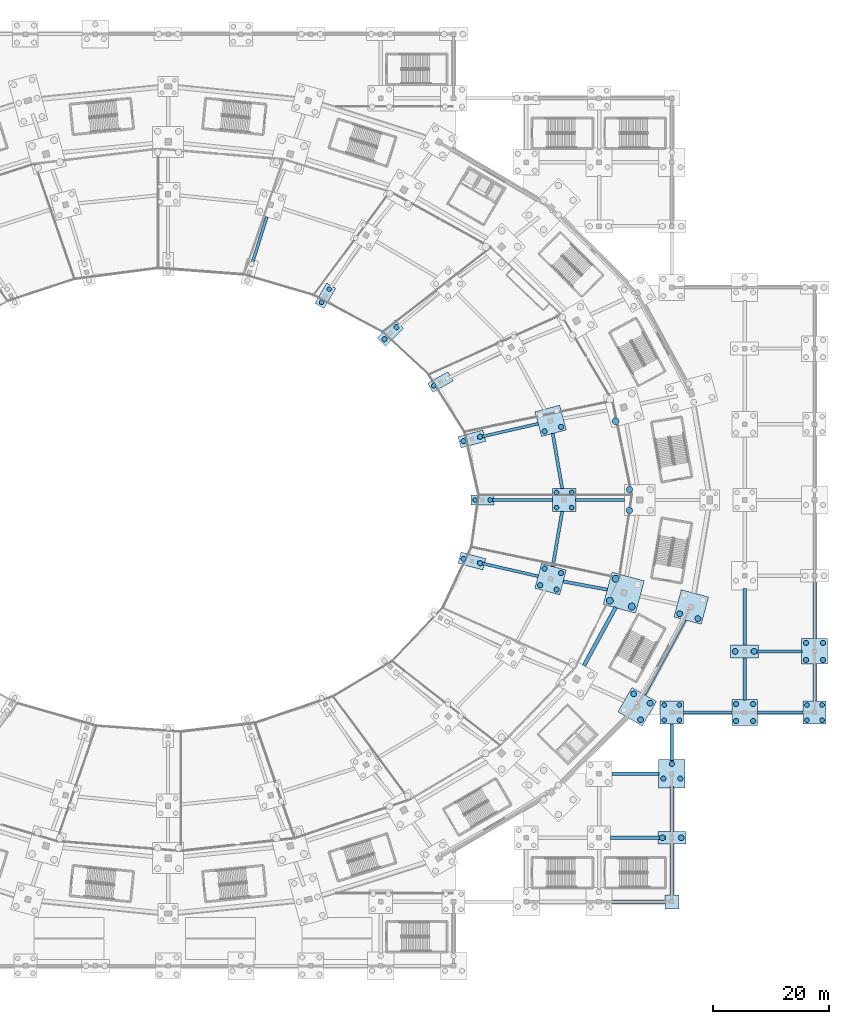
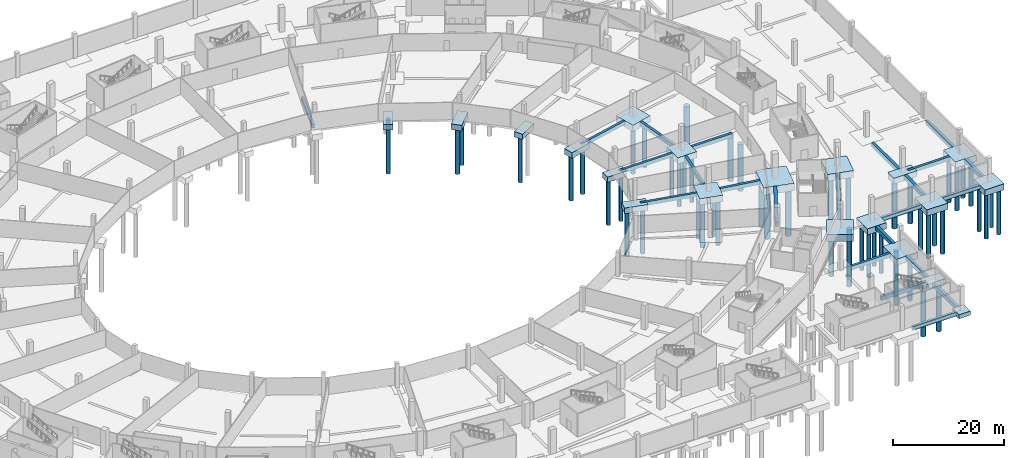
# One storey, part 7 of 74: 55 piles, 43 footings.
"""IFC4 building model written with IfcOpenShell, lengths in metres."""

from ifc_helpers import new_model, si_unit, direction, frame, origin, origin_2d, place, context, subcontext, project, spatial, polyline, rectangle, circle, outline, extrude, material, material_profile, profile_set, type_object, element, save


model = new_model("IFC4")

# Units and contexts
model_context = context("Model", 3, precision=1e-05, world=origin(), true_north=direction((0.0, 1.0)))
body_context = subcontext(model_context, "Body", "Model", "MODEL_VIEW")
ifc_project = project(units=[si_unit("LENGTHUNIT", "METRE"), si_unit("AREAUNIT", "SQUARE_METRE"), si_unit("VOLUMEUNIT", "CUBIC_METRE"), si_unit("PLANEANGLEUNIT", "RADIAN"), si_unit("MASSUNIT", "GRAM", prefix="KILO")], contexts=[model_context])

# Site, building, storey
site_placement = place(None, origin())
site = spatial("IfcSite", under=ifc_project, at=site_placement, CompositionType="ELEMENT")
building_placement = place(site_placement, origin())
building = spatial("IfcBuilding", under=site, at=building_placement, Name="Zlatoyarsky Gate Stadium", CompositionType="ELEMENT")
storey_placement = place(building_placement, frame((0.0, 0.0, -5.39990234375)))
storey = spatial("IfcBuildingStorey", under=building, at=storey_placement, Name="B1", CompositionType="ELEMENT", Elevation=-5.39990234375)

# Piles
ifc_material = material(Name="Concrete C35/45", Category="concrete")
ifc_material_profile_1 = material_profile(ifc_material, circle(Radius=0.5, at=origin_2d()), Name="BORED PILE D1000")
ifc_profile_set_1 = profile_set([ifc_material_profile_1], Name="Concrete C35/45")
pile_type_1 = type_object("IfcPileType", Name="CONCRETE BORED PILE D1000", PredefinedType="BORED", material=ifc_profile_set_1)
for number, where, z_axis, x_axis, name in (
    (1, (192.13525390625, 42.2802734375, -1.400146484375), (0.0, 0.0, -1.0), (1.0, 0.0, 0.0), "Pile 2 under RC-22"),
    (2, (190.945556640625, 46.7197265625, -1.400146484375), (0.0, 0.0, -1.0), (1.0, 0.0, 0.0), "Pile 3 under RC-22"),
    (3, (193.76025390625, 45.0947265625, -1.400146484375), (0.0, 0.0, -1.0), (1.0, 0.0, 0.0), "Pile 4 under RC-22"),
    (4, (198.8408203125, 60.474853515625, -1.400146484375), (0.0, 0.0, -1.0), (1.0, 0.0, 0.0), "Pile 1 under RC-23"),
    (5, (201.97998046875, 59.633544921875, -1.400146484375), (0.0, 0.0, -1.0), (1.0, 0.0, 0.0), "Pile 2 under RC-23"),
):
    element("IfcPile", number, at=place(storey_placement, frame(where, z_axis=z_axis, x_axis=x_axis)), inside=storey, type_object=pile_type_1, Name=name, PredefinedType="BORED", context=body_context, shape_type="SweptSolid", body=[
        extrude(circle(Radius=0.5, at=origin_2d()), origin(), (0.0, 0.0, 1.0), 10.39990234375),
    ])
for number, where, z_axis, x_axis, name in (
    (6, (195.875, 22.0, -1.2001953125), (0.0, 0.0, -1.0), (1.0, 0.0, 0.0), "Pile 1 under WG-17-C"),
    (7, (199.125, 22.0, -1.2001953125), (0.0, 0.0, -1.0), (1.0, 0.0, 0.0), "Pile 2 under WG-17-C"),
    (8, (208.375, 54.0, -1.2001953125), (0.0, 0.0, -1.0), (1.0, 0.0, 0.0), "Pile 1 under WG-18-F"),
    (9, (211.625, 54.0, -1.2001953125), (0.0, 0.0, -1.0), (1.0, 0.0, 0.0), "Pile 2 under WG-18-F"),
):
    element("IfcPile", number, at=place(storey_placement, frame(where, z_axis=z_axis, x_axis=x_axis)), inside=storey, type_object=pile_type_1, Name=name, PredefinedType="BORED", context=body_context, shape_type="SweptSolid", body=[
        extrude(circle(Radius=0.5, at=origin_2d()), origin(), (0.0, 0.0, 1.0), 10.60009765625),
    ])
ifc_material_profile_2 = material_profile(ifc_material, circle(Radius=0.550048828125, at=origin_2d()), Name="BORED PILE D1100")
ifc_profile_set_2 = profile_set([ifc_material_profile_2], Name="Concrete C35/45")
pile_type_2 = type_object("IfcPileType", Name="CONCRETE BORED PILE D1100", PredefinedType="BORED", material=ifc_profile_set_2)
for number, where, z_axis, x_axis, name in (
    (10, (190.21240234375, 78.21240234375, -1.4501953125), (0.0, 0.0, -1.0), (1.0, 0.0, 0.0), "Pile 1 under RB-00"),
    (11, (190.21240234375, 81.78759765625, -1.4501953125), (0.0, 0.0, -1.0), (1.0, 0.0, 0.0), "Pile 3 under RB-00"),
):
    element("IfcPile", number, at=place(storey_placement, frame(where, z_axis=z_axis, x_axis=x_axis)), inside=storey, type_object=pile_type_2, Name=name, PredefinedType="BORED", context=body_context, shape_type="SweptSolid", body=[
        extrude(circle(Radius=0.550048828125, at=origin_2d()), origin(), (0.0, 0.0, 1.0), 10.35009765625),
    ])
ifc_material_profile_3 = material_profile(ifc_material, circle(Radius=0.60009765625, at=origin_2d()), Name="BORED PILE D1200")
ifc_profile_set_3 = profile_set([ifc_material_profile_3], Name="Concrete C35/45")
pile_type_3 = type_object("IfcPileType", Name="CONCRETE BORED PILE D1200", PredefinedType="BORED", material=ifc_profile_set_3)
for number, where, z_axis, x_axis, name in (
    (12, (187.861083984375, 93.529052734375, -1.550048828125), (0.0, 0.0, -1.0), (1.0, 0.0, 0.0), "Pile 1 under RB-01"),
    (13, (186.851806640625, 62.70361328125, -1.550048828125), (0.0, 0.0, -1.0), (1.0, 0.0, 0.0), "Pile 1 under RB-23"),
    (14, (190.618896484375, 61.6943359375, -1.550048828125), (0.0, 0.0, -1.0), (1.0, 0.0, 0.0), "Pile 2 under RB-23"),
    (15, (187.861083984375, 66.470947265625, -1.550048828125), (0.0, 0.0, -1.0), (1.0, 0.0, 0.0), "Pile 3 under RB-23"),
):
    element("IfcPile", number, at=place(storey_placement, frame(where, z_axis=z_axis, x_axis=x_axis)), inside=storey, type_object=pile_type_3, Name=name, PredefinedType="BORED", context=body_context, shape_type="SweptSolid", body=[
        extrude(circle(Radius=0.60009765625, at=origin_2d()), origin(), (0.0, 0.0, 1.0), 10.25),
    ])
ifc_material_profile_4 = material_profile(ifc_material, circle(Radius=0.39990234375, at=origin_2d()), Name="BORED PILE D800")
ifc_profile_set_4 = profile_set([ifc_material_profile_4], Name="Concrete C35/45")
pile_type_4 = type_object("IfcPileType", Name="CONCRETE BORED PILE D800", PredefinedType="BORED", material=ifc_profile_set_4)
for number, where, z_axis, x_axis, name in (
    (16, (163.699951171875, 80.0, -1.10009765625), (0.0, 0.0, -1.0), (1.0, 0.0, 0.0), "Pile 1 under R0-00"),
    (17, (166.300048828125, 80.0, -1.10009765625), (0.0, 0.0, -1.0), (1.0, 0.0, 0.0), "Pile 2 under R0-00"),
    (18, (156.6396484375, 99.60009765625, -1.10009765625), (0.0, 0.0, -1.0), (1.0, 0.0, 0.0), "Pile 1 under R0-02"),
    (19, (137.35009765625, 113.9482421875, -1.10009765625), (0.0, 0.0, -1.0), (1.0, 0.0, 0.0), "Pile 1 under R0-04"),
    (20, (138.64990234375, 116.19970703125, -1.10009765625), (0.0, 0.0, -1.0), (1.0, 0.0, 0.0), "Pile 2 under R0-04"),
):
    element("IfcPile", number, at=place(storey_placement, frame(where, z_axis=z_axis, x_axis=x_axis)), inside=storey, type_object=pile_type_4, Name=name, PredefinedType="BORED", context=body_context, shape_type="SweptSolid", body=[
        extrude(circle(Radius=0.39990234375, at=origin_2d()), origin(), (0.0, 0.0, 1.0), 10.10009765625),
    ])
for number, where, z_axis, x_axis, name in (
    (21, (177.699951171875, 78.699951171875, -1.25), (0.0, 0.0, -1.0), (1.0, 0.0, 0.0), "Pile 1 under RA-00"),
    (22, (180.300048828125, 78.699951171875, -1.25), (0.0, 0.0, -1.0), (1.0, 0.0, 0.0), "Pile 2 under RA-00"),
    (23, (177.699951171875, 81.300048828125, -1.25), (0.0, 0.0, -1.0), (1.0, 0.0, 0.0), "Pile 3 under RA-00"),
    (24, (180.300048828125, 81.300048828125, -1.25), (0.0, 0.0, -1.0), (1.0, 0.0, 0.0), "Pile 4 under RA-00"),
    (25, (196.199951171875, 42.199951171875, -1.25), (0.0, 0.0, -1.0), (1.0, 0.0, 0.0), "Pile 1 under WG-17-E"),
    (26, (198.800048828125, 42.199951171875, -1.25), (0.0, 0.0, -1.0), (1.0, 0.0, 0.0), "Pile 2 under WG-17-E"),
    (27, (196.199951171875, 44.800048828125, -1.25), (0.0, 0.0, -1.0), (1.0, 0.0, 0.0), "Pile 3 under WG-17-E"),
    (28, (198.800048828125, 44.800048828125, -1.25), (0.0, 0.0, -1.0), (1.0, 0.0, 0.0), "Pile 4 under WG-17-E"),
    (29, (220.699951171875, 42.199951171875, -1.25), (0.0, 0.0, -1.0), (1.0, 0.0, 0.0), "Pile 1 under WG-19-E"),
    (30, (223.300048828125, 42.199951171875, -1.25), (0.0, 0.0, -1.0), (1.0, 0.0, 0.0), "Pile 2 under WG-19-E"),
    (31, (220.699951171875, 44.800048828125, -1.25), (0.0, 0.0, -1.0), (1.0, 0.0, 0.0), "Pile 3 under WG-19-E"),
    (32, (223.300048828125, 44.800048828125, -1.25), (0.0, 0.0, -1.0), (1.0, 0.0, 0.0), "Pile 4 under WG-19-E"),
):
    element("IfcPile", number, at=place(storey_placement, frame(where, z_axis=z_axis, x_axis=x_axis)), inside=storey, type_object=pile_type_4, Name=name, PredefinedType="BORED", context=body_context, shape_type="SweptSolid", body=[
        extrude(circle(Radius=0.39990234375, at=origin_2d()), origin(), (0.0, 0.0, 1.0), 9.949951171875),
    ])
ifc_material_profile_5 = material_profile(ifc_material, circle(Radius=0.449951171875, at=origin_2d()), Name="BORED PILE D900")
ifc_profile_set_5 = profile_set([ifc_material_profile_5], Name="Concrete C35/45")
pile_type_5 = type_object("IfcPileType", Name="CONCRETE BORED PILE D900", PredefinedType="BORED", material=ifc_profile_set_5)
for number, where, z_axis, x_axis, name in (
    (33, (161.747314453125, 90.103759765625, -1.150146484375), (0.0, 0.0, -1.0), (1.0, 0.0, 0.0), "Pile 1 under R0-01"),
    (34, (164.57275390625, 90.860595703125, -1.150146484375), (0.0, 0.0, -1.0), (1.0, 0.0, 0.0), "Pile 2 under R0-01"),
    (35, (148.149658203125, 107.603759765625, -1.150146484375), (0.0, 0.0, -1.0), (1.0, 0.0, 0.0), "Pile 1 under R0-03"),
    (36, (150.218017578125, 109.671875, -1.150146484375), (0.0, 0.0, -1.0), (1.0, 0.0, 0.0), "Pile 2 under R0-03"),
    (37, (161.747314453125, 69.896240234375, -1.150146484375), (0.0, 0.0, -1.0), (1.0, 0.0, 0.0), "Pile 1 under R0-23"),
    (38, (164.57275390625, 69.139404296875, -1.150146484375), (0.0, 0.0, -1.0), (1.0, 0.0, 0.0), "Pile 2 under R0-23"),
):
    element("IfcPile", number, at=place(storey_placement, frame(where, z_axis=z_axis, x_axis=x_axis)), inside=storey, type_object=pile_type_5, Name=name, PredefinedType="BORED", context=body_context, shape_type="SweptSolid", body=[
        extrude(circle(Radius=0.449951171875, at=origin_2d()), origin(), (0.0, 0.0, 1.0), 10.050048828125),
    ])
for number, where, z_axis, x_axis, name in (
    (39, (175.64892578125, 91.796875, -1.300048828125), (0.0, 0.0, -1.0), (1.0, 0.0, 0.0), "Pile 1 under RA-01"),
    (40, (178.47412109375, 92.553955078125, -1.300048828125), (0.0, 0.0, -1.0), (1.0, 0.0, 0.0), "Pile 2 under RA-01"),
    (41, (174.891845703125, 65.3779296875, -1.300048828125), (0.0, 0.0, -1.0), (1.0, 0.0, 0.0), "Pile 1 under RA-23"),
    (42, (177.717041015625, 64.620849609375, -1.300048828125), (0.0, 0.0, -1.0), (1.0, 0.0, 0.0), "Pile 2 under RA-23"),
    (43, (175.64892578125, 68.203125, -1.300048828125), (0.0, 0.0, -1.0), (1.0, 0.0, 0.0), "Pile 3 under RA-23"),
    (44, (178.47412109375, 67.446044921875, -1.300048828125), (0.0, 0.0, -1.0), (1.0, 0.0, 0.0), "Pile 4 under RA-23"),
):
    element("IfcPile", number, at=place(storey_placement, frame(where, z_axis=z_axis, x_axis=x_axis)), inside=storey, type_object=pile_type_5, Name=name, PredefinedType="BORED", context=body_context, shape_type="SweptSolid", body=[
        extrude(circle(Radius=0.449951171875, at=origin_2d()), origin(), (0.0, 0.0, 1.0), 9.89990234375),
    ])
for number, where, z_axis, x_axis, name in (
    (45, (196.03759765625, 32.15576171875, -1.25), (0.0, 0.0, -1.0), (1.0, 0.0, 0.0), "Pile 1 under WG-17-D"),
    (46, (198.96240234375, 32.15576171875, -1.25), (0.0, 0.0, -1.0), (1.0, 0.0, 0.0), "Pile 2 under WG-17-D"),
    (47, (197.5, 34.688720703125, -1.25), (0.0, 0.0, -1.0), (1.0, 0.0, 0.0), "Pile 3 under WG-17-D"),
):
    element("IfcPile", number, at=place(storey_placement, frame(where, z_axis=z_axis, x_axis=x_axis)), inside=storey, type_object=pile_type_5, Name=name, PredefinedType="BORED", context=body_context, shape_type="SweptSolid", body=[
        extrude(circle(Radius=0.449951171875, at=origin_2d()), origin(), (0.0, 0.0, 1.0), 9.949951171875),
    ])
for number, where, z_axis, x_axis, name in (
    (48, (208.53759765625, 42.03759765625, -1.300048828125), (0.0, 0.0, -1.0), (1.0, 0.0, 0.0), "Pile 1 under WG-18-E"),
    (49, (211.46240234375, 42.03759765625, -1.300048828125), (0.0, 0.0, -1.0), (1.0, 0.0, 0.0), "Pile 2 under WG-18-E"),
    (50, (208.53759765625, 44.96240234375, -1.300048828125), (0.0, 0.0, -1.0), (1.0, 0.0, 0.0), "Pile 3 under WG-18-E"),
    (51, (211.46240234375, 44.96240234375, -1.300048828125), (0.0, 0.0, -1.0), (1.0, 0.0, 0.0), "Pile 4 under WG-18-E"),
    (52, (220.53759765625, 52.53759765625, -1.300048828125), (0.0, 0.0, -1.0), (1.0, 0.0, 0.0), "Pile 1 under WG-19-F"),
    (53, (223.46240234375, 52.53759765625, -1.300048828125), (0.0, 0.0, -1.0), (1.0, 0.0, 0.0), "Pile 2 under WG-19-F"),
    (54, (220.53759765625, 55.46240234375, -1.300048828125), (0.0, 0.0, -1.0), (1.0, 0.0, 0.0), "Pile 3 under WG-19-F"),
    (55, (223.46240234375, 55.46240234375, -1.300048828125), (0.0, 0.0, -1.0), (1.0, 0.0, 0.0), "Pile 4 under WG-19-F"),
):
    element("IfcPile", number, at=place(storey_placement, frame(where, z_axis=z_axis, x_axis=x_axis)), inside=storey, type_object=pile_type_5, Name=name, PredefinedType="BORED", context=body_context, shape_type="SweptSolid", body=[
        extrude(circle(Radius=0.449951171875, at=origin_2d()), origin(), (0.0, 0.0, 1.0), 9.89990234375),
    ])

# Footings
ifc_material_profile_6 = material_profile(ifc_material, rectangle(XDim=0.5, YDim=0.800048828125, at=origin_2d()), Name="GB 500X800")
ifc_profile_set_6 = profile_set([ifc_material_profile_6], Name="Concrete C35/45")
footing_type_1 = type_object("IfcFootingType", Name="CONCRETE GROUND TIE BEAM 500X800", PredefinedType="STRIP_FOOTING", material=ifc_profile_set_6)
footing_1_placement = place(storey_placement, frame((0.0, 0.0, -0.800048828125)))
element("IfcFooting", 56, at=footing_1_placement, inside=storey, type_object=footing_type_1, Name="Ground tie beam GB-01 R0-00 to RA-00", PredefinedType="STRIP_FOOTING", context=body_context, shape_type="SweptSolid", body=[
    extrude(outline(polyline([(165.889892578125, 79.75), (177.010009765625, 79.75), (177.010009765625, 80.25), (165.889892578125, 80.25), (165.889892578125, 79.75)])), origin(), (0.0, 0.0, 1.0), 0.800048828125),
])
footing_2_placement = place(storey_placement, frame((0.0, 0.0, -0.800048828125)))
element("IfcFooting", 57, at=footing_2_placement, inside=storey, type_object=footing_type_1, Name="Ground tie beam GB-01 R0-01 to RA-01", PredefinedType="STRIP_FOOTING", context=body_context, shape_type="SweptSolid", body=[
    extrude(outline(polyline([(164.180908203125, 90.460205078125), (174.6044921875, 92.854248046875), (174.49267578125, 93.341552734375), (164.06884765625, 90.947509765625), (164.180908203125, 90.460205078125)])), origin(), (0.0, 0.0, 1.0), 0.800048828125),
])
footing_3_placement = place(storey_placement, frame((0.0, 0.0, -0.800048828125)))
element("IfcFooting", 58, at=footing_3_placement, inside=storey, type_object=footing_type_1, Name="Ground tie beam GB-01 R0-05 to RA-05", PredefinedType="STRIP_FOOTING", context=body_context, shape_type="SweptSolid", body=[
    extrude(outline(polyline([(125.51025390625, 119.990234375), (128.184814453125, 128.54638671875), (127.707763671875, 128.695556640625), (125.032958984375, 120.139404296875), (125.51025390625, 119.990234375)])), origin(), (0.0, 0.0, 1.0), 0.800048828125),
])
footing_4_placement = place(storey_placement, frame((0.0, 0.0, -0.800048828125)))
element("IfcFooting", 59, at=footing_4_placement, inside=storey, type_object=footing_type_1, Name="Ground tie beam GB-01 R0-23 to RA-23", PredefinedType="STRIP_FOOTING", context=body_context, shape_type="SweptSolid", body=[
    extrude(outline(polyline([(164.06884765625, 69.052490234375), (174.49267578125, 66.658447265625), (174.6044921875, 67.145751953125), (164.180908203125, 69.539794921875), (164.06884765625, 69.052490234375)])), origin(), (0.0, 0.0, 1.0), 0.800048828125),
])
ifc_material_profile_7 = material_profile(ifc_material, rectangle(XDim=0.550048828125, YDim=0.85009765625, at=origin_2d()), Name="GB 550X850")
ifc_profile_set_7 = profile_set([ifc_material_profile_7], Name="Concrete C35/45")
footing_type_2 = type_object("IfcFootingType", Name="CONCRETE GROUND TIE BEAM 550X850", PredefinedType="STRIP_FOOTING", material=ifc_profile_set_7)
footing_5_placement = place(storey_placement, frame((0.0, 0.0, -0.85009765625)))
element("IfcFooting", 60, at=footing_5_placement, inside=storey, type_object=footing_type_2, Name="Ground tie beam GB-02 RA-00 to RB-00", PredefinedType="STRIP_FOOTING", context=body_context, shape_type="SweptSolid", body=[
    extrude(outline(polyline([(180.989990234375, 79.72509765625), (189.360107421875, 79.72509765625), (189.360107421875, 80.27490234375), (180.989990234375, 80.27490234375), (180.989990234375, 79.72509765625)])), origin(), (0.0, 0.0, 1.0), 0.85009765625),
])
footing_6_placement = place(storey_placement, frame((0.0, 0.0, -0.85009765625)))
element("IfcFooting", 61, at=footing_6_placement, inside=storey, type_object=footing_type_2, Name="Ground tie beam GB-02 RA-00 to RA-01", PredefinedType="STRIP_FOOTING", context=body_context, shape_type="SweptSolid", body=[
    extrude(outline(polyline([(178.9365234375, 82.0078125), (177.322265625, 91.475341796875), (176.780029296875, 91.383056640625), (178.39453125, 81.91552734375), (178.9365234375, 82.0078125)])), origin(), (0.0, 0.0, 1.0), 0.85009765625),
])
footing_7_placement = place(storey_placement, frame((0.0, 0.0, -0.85009765625)))
element("IfcFooting", 62, at=footing_7_placement, inside=storey, type_object=footing_type_2, Name="Ground tie beam GB-02 RA-23 to RB-23", PredefinedType="STRIP_FOOTING", context=body_context, shape_type="SweptSolid", body=[
    extrude(outline(polyline([(178.7861328125, 65.7421875), (186.373046875, 64.334716796875), (186.47314453125, 64.87548828125), (178.886474609375, 66.282958984375), (178.7861328125, 65.7421875)])), origin(), (0.0, 0.0, 1.0), 0.85009765625),
])
footing_8_placement = place(storey_placement, frame((0.0, 0.0, -0.85009765625)))
element("IfcFooting", 63, at=footing_8_placement, inside=storey, type_object=footing_type_2, Name="Ground tie beam GB-02 RA-23 to RA-00", PredefinedType="STRIP_FOOTING", context=body_context, shape_type="SweptSolid", body=[
    extrude(outline(polyline([(177.322265625, 68.524658203125), (178.9365234375, 77.9921875), (178.39453125, 78.08447265625), (176.780029296875, 68.616943359375), (177.322265625, 68.524658203125)])), origin(), (0.0, 0.0, 1.0), 0.85009765625),
])
footing_9_placement = place(storey_placement, frame((0.0, 0.0, -0.85009765625)))
element("IfcFooting", 64, at=footing_9_placement, inside=storey, type_object=footing_type_2, Name="Ground tie beam GB-02 WG-16-B to WG-17-B", PredefinedType="STRIP_FOOTING", context=body_context, shape_type="SweptSolid", body=[
    extrude(outline(polyline([(187.239990234375, 10.72509765625), (196.31005859375, 10.72509765625), (196.31005859375, 11.27490234375), (187.239990234375, 11.27490234375), (187.239990234375, 10.72509765625)])), origin(), (0.0, 0.0, 1.0), 0.85009765625),
])
footing_10_placement = place(storey_placement, frame((0.0, 0.0, -0.85009765625)))
element("IfcFooting", 65, at=footing_10_placement, inside=storey, type_object=footing_type_2, Name="Ground tie beam GB-02 WG-16-C to WG-17-C", PredefinedType="STRIP_FOOTING", context=body_context, shape_type="SweptSolid", body=[
    extrude(outline(polyline([(186.989990234375, 21.72509765625), (196.409912109375, 21.72509765625), (196.409912109375, 22.27490234375), (186.989990234375, 22.27490234375), (186.989990234375, 21.72509765625)])), origin(), (0.0, 0.0, 1.0), 0.85009765625),
])
footing_11_placement = place(storey_placement, frame((0.0, 0.0, -0.85009765625)))
element("IfcFooting", 66, at=footing_11_placement, inside=storey, type_object=footing_type_2, Name="Ground tie beam GB-02 WG-16-D to WG-17-D", PredefinedType="STRIP_FOOTING", context=body_context, shape_type="SweptSolid", body=[
    extrude(outline(polyline([(187.18994140625, 32.72509765625), (195.260009765625, 32.72509765625), (195.260009765625, 33.27490234375), (187.18994140625, 33.27490234375), (187.18994140625, 32.72509765625)])), origin(), (0.0, 0.0, 1.0), 0.85009765625),
])
footing_12_placement = place(storey_placement, frame((0.0, 0.0, -0.85009765625)))
element("IfcFooting", 67, at=footing_12_placement, inside=storey, type_object=footing_type_2, Name="Ground tie beam GB-02 WG-17-E to WG-18-E", PredefinedType="STRIP_FOOTING", context=body_context, shape_type="SweptSolid", body=[
    extrude(outline(polyline([(199.489990234375, 43.22509765625), (207.81005859375, 43.22509765625), (207.81005859375, 43.77490234375), (199.489990234375, 43.77490234375), (199.489990234375, 43.22509765625)])), origin(), (0.0, 0.0, 1.0), 0.85009765625),
])
footing_13_placement = place(storey_placement, frame((0.0, 0.0, -0.85009765625)))
element("IfcFooting", 68, at=footing_13_placement, inside=storey, type_object=footing_type_2, Name="Ground tie beam GB-02 WG-18-E to WG-19-E", PredefinedType="STRIP_FOOTING", context=body_context, shape_type="SweptSolid", body=[
    extrude(outline(polyline([(212.18994140625, 43.22509765625), (220.010009765625, 43.22509765625), (220.010009765625, 43.77490234375), (212.18994140625, 43.77490234375), (212.18994140625, 43.22509765625)])), origin(), (0.0, 0.0, 1.0), 0.85009765625),
])
footing_14_placement = place(storey_placement, frame((0.0, 0.0, -0.85009765625)))
element("IfcFooting", 69, at=footing_14_placement, inside=storey, type_object=footing_type_2, Name="Ground tie beam GB-02 WG-18-F to WG-19-F", PredefinedType="STRIP_FOOTING", context=body_context, shape_type="SweptSolid", body=[
    extrude(outline(polyline([(211.090087890625, 53.72509765625), (219.81005859375, 53.72509765625), (219.81005859375, 54.27490234375), (211.090087890625, 54.27490234375), (211.090087890625, 53.72509765625)])), origin(), (0.0, 0.0, 1.0), 0.85009765625),
])
ifc_material_profile_8 = material_profile(ifc_material, rectangle(XDim=0.60009765625, YDim=0.89990234375, at=origin_2d()), Name="GB 600X900")
ifc_profile_set_8 = profile_set([ifc_material_profile_8], Name="Concrete C35/45")
footing_type_3 = type_object("IfcFootingType", Name="CONCRETE GROUND TIE BEAM 600X900", PredefinedType="STRIP_FOOTING", material=ifc_profile_set_8)
footing_15_placement = place(storey_placement, frame((0.0, 0.0, -0.900146484375)))
element("IfcFooting", 70, at=footing_15_placement, inside=storey, type_object=footing_type_3, Name="Ground tie beam GB-03 WG-17-B to WG-17-C", PredefinedType="STRIP_FOOTING", context=body_context, shape_type="SweptSolid", body=[
    extrude(outline(polyline([(197.800048828125, 12.18994140625), (197.800048828125, 20.909912109375), (197.199951171875, 20.909912109375), (197.199951171875, 12.18994140625), (197.800048828125, 12.18994140625)])), origin(), (0.0, 0.0, 1.0), 0.900146484375),
])
footing_16_placement = place(storey_placement, frame((0.0, 0.0, -0.900146484375)))
element("IfcFooting", 71, at=footing_16_placement, inside=storey, type_object=footing_type_3, Name="Ground tie beam GB-03 WG-17-C to WG-17-D", PredefinedType="STRIP_FOOTING", context=body_context, shape_type="SweptSolid", body=[
    extrude(outline(polyline([(197.800048828125, 23.090087890625), (197.800048828125, 30.760009765625), (197.199951171875, 30.760009765625), (197.199951171875, 23.090087890625), (197.800048828125, 23.090087890625)])), origin(), (0.0, 0.0, 1.0), 0.900146484375),
])
footing_17_placement = place(storey_placement, frame((0.0, 0.0, -0.900146484375)))
element("IfcFooting", 72, at=footing_17_placement, inside=storey, type_object=footing_type_3, Name="Ground tie beam GB-03 WG-17-D to WG-17-E", PredefinedType="STRIP_FOOTING", context=body_context, shape_type="SweptSolid", body=[
    extrude(outline(polyline([(197.800048828125, 35.239990234375), (197.800048828125, 41.510009765625), (197.199951171875, 41.510009765625), (197.199951171875, 35.239990234375), (197.800048828125, 35.239990234375)])), origin(), (0.0, 0.0, 1.0), 0.900146484375),
])
footing_18_placement = place(storey_placement, frame((0.0, 0.0, -0.900146484375)))
element("IfcFooting", 73, at=footing_18_placement, inside=storey, type_object=footing_type_3, Name="Ground tie beam GB-03 WG-18-E to WG-18-F", PredefinedType="STRIP_FOOTING", context=body_context, shape_type="SweptSolid", body=[
    extrude(outline(polyline([(210.300048828125, 45.68994140625), (210.300048828125, 52.909912109375), (209.699951171875, 52.909912109375), (209.699951171875, 45.68994140625), (210.300048828125, 45.68994140625)])), origin(), (0.0, 0.0, 1.0), 0.900146484375),
])
footing_19_placement = place(storey_placement, frame((0.0, 0.0, -0.900146484375)))
element("IfcFooting", 74, at=footing_19_placement, inside=storey, type_object=footing_type_3, Name="Ground tie beam GB-03 WG-18-F to WG-18-G", PredefinedType="STRIP_FOOTING", context=body_context, shape_type="SweptSolid", body=[
    extrude(outline(polyline([(210.300048828125, 55.090087890625), (210.300048828125, 64.760009765625), (209.699951171875, 64.760009765625), (209.699951171875, 55.090087890625), (210.300048828125, 55.090087890625)])), origin(), (0.0, 0.0, 1.0), 0.900146484375),
])
footing_20_placement = place(storey_placement, frame((0.0, 0.0, -0.900146484375)))
element("IfcFooting", 75, at=footing_20_placement, inside=storey, type_object=footing_type_3, Name="Ground tie beam GB-03 WG-19-E to WG-19-F", PredefinedType="STRIP_FOOTING", context=body_context, shape_type="SweptSolid", body=[
    extrude(outline(polyline([(222.300048828125, 45.489990234375), (222.300048828125, 51.81005859375), (221.699951171875, 51.81005859375), (221.699951171875, 45.489990234375), (222.300048828125, 45.489990234375)])), origin(), (0.0, 0.0, 1.0), 0.900146484375),
])
footing_21_placement = place(storey_placement, frame((0.0, 0.0, -0.900146484375)))
element("IfcFooting", 76, at=footing_21_placement, inside=storey, type_object=footing_type_3, Name="Ground tie beam GB-03 WG-19-F to WG-19-G", PredefinedType="STRIP_FOOTING", context=body_context, shape_type="SweptSolid", body=[
    extrude(outline(polyline([(222.300048828125, 56.18994140625), (222.300048828125, 65.909912109375), (221.699951171875, 65.909912109375), (221.699951171875, 56.18994140625), (222.300048828125, 56.18994140625)])), origin(), (0.0, 0.0, 1.0), 0.900146484375),
])
ifc_material_profile_9 = material_profile(ifc_material, rectangle(XDim=0.64990234375, YDim=0.949951171875, at=origin_2d()), Name="GB 650X950")
ifc_profile_set_9 = profile_set([ifc_material_profile_9], Name="Concrete C35/45")
footing_type_4 = type_object("IfcFootingType", Name="CONCRETE GROUND TIE BEAM 650X950", PredefinedType="STRIP_FOOTING", material=ifc_profile_set_9)
footing_22_placement = place(storey_placement, frame((0.0, 0.0, -0.9501953125)))
element("IfcFooting", 77, at=footing_22_placement, inside=storey, type_object=footing_type_4, Name="Ground tie beam GB-04 RB-22 to RB-23", PredefinedType="STRIP_FOOTING", context=body_context, shape_type="SweptSolid", body=[
    extrude(outline(polyline([(182.69775390625, 51.411865234375), (188.1533203125, 61.411865234375), (187.58251953125, 61.72314453125), (182.127197265625, 51.72314453125), (182.69775390625, 51.411865234375)])), origin(), (0.0, 0.0, 1.0), 0.9501953125),
])
ifc_material_profile_10 = material_profile(ifc_material, rectangle(XDim=0.699951171875, YDim=1.0, at=origin_2d()), Name="GB 700X1000")
ifc_profile_set_10 = profile_set([ifc_material_profile_10], Name="Concrete C35/45")
footing_type_5 = type_object("IfcFootingType", Name="CONCRETE GROUND TIE BEAM 700X1000", PredefinedType="STRIP_FOOTING", material=ifc_profile_set_10)
footing_23_placement = place(storey_placement, frame((0.0, 0.0, -1.0)))
element("IfcFooting", 78, at=footing_23_placement, inside=storey, type_object=footing_type_5, Name="Ground tie beam GB-05 RC-22 to RC-23", PredefinedType="STRIP_FOOTING", context=body_context, shape_type="SweptSolid", body=[
    extrude(outline(polyline([(192.999755859375, 46.455810546875), (199.987060546875, 59.334228515625), (199.371826171875, 59.66796875), (192.384521484375, 46.78955078125), (192.999755859375, 46.455810546875)])), origin(), (0.0, 0.0, 1.0), 1.0),
])
footing_type_6 = type_object("IfcFootingType", Name="CONCRETE PAD FOOTING 2400X2400X900", PredefinedType="PAD_FOOTING", material=ifc_material)
footing_24_placement = place(storey_placement, frame((197.5, 11.0, -0.900146484375), z_axis=(0.0, 0.0, 1.0), x_axis=(1.0, 0.0, 0.0)))
element("IfcFooting", 79, at=footing_24_placement, inside=storey, type_object=footing_type_6, Name="Pad footing PF-01 at WG-17-B", PredefinedType="PAD_FOOTING", context=body_context, shape_type="SweptSolid", body=[
    extrude(rectangle(XDim=2.39990234375, YDim=2.39990234375, at=origin_2d()), origin(), (0.0, 0.0, 1.0), 0.89990234375),
])
footing_type_7 = type_object("IfcFootingType", Name="CONCRETE PILE CAP 4000X1800X1200", PredefinedType="PILE_CAP", material=ifc_material)
for number, where, z_axis, x_axis, name in (
    (80, (165.0, 80.0, -1.2001953125), (0.0, 0.0, 1.0), (1.0, 0.0, 0.0), "Pile cap PC-01 at R0-00"),
    (81, (157.765380859375, 100.25, -1.2001953125), (0.0, 0.0, 1.0), (0.866025403784, 0.5, 0.0), "Pile cap PC-01 at R0-02"),
    (82, (138.0, 115.073974609375, -1.2001953125), (0.0, 0.0, 1.0), (0.5, 0.866025403784, 0.0), "Pile cap PC-01 at R0-04"),
):
    element("IfcFooting", number, at=place(storey_placement, frame(where, z_axis=z_axis, x_axis=x_axis)), inside=storey, type_object=footing_type_7, Name=name, PredefinedType="PILE_CAP", context=body_context, shape_type="SweptSolid", body=[
        extrude(rectangle(XDim=4.0, YDim=1.800048828125, at=origin_2d()), origin(), (0.0, 0.0, 1.0), 1.199951171875),
    ])
footing_type_8 = type_object("IfcFootingType", Name="CONCRETE PILE CAP 4000X4000X1350", PredefinedType="PILE_CAP", material=ifc_material)
for number, where, z_axis, x_axis, name in (
    (83, (179.0, 80.0, -1.35009765625), (0.0, 0.0, 1.0), (1.0, 0.0, 0.0), "Pile cap PC-05 at RA-00"),
    (84, (197.5, 43.5, -1.35009765625), (0.0, 0.0, 1.0), (1.0, 0.0, 0.0), "Pile cap PC-05 at WG-17-E"),
    (85, (222.0, 43.5, -1.35009765625), (0.0, 0.0, 1.0), (1.0, 0.0, 0.0), "Pile cap PC-05 at WG-19-E"),
):
    element("IfcFooting", number, at=place(storey_placement, frame(where, z_axis=z_axis, x_axis=x_axis)), inside=storey, type_object=footing_type_8, Name=name, PredefinedType="PILE_CAP", context=body_context, shape_type="SweptSolid", body=[
        extrude(rectangle(XDim=4.0, YDim=4.0, at=origin_2d()), origin(), (0.0, 0.0, 1.0), 1.35009765625),
    ])
footing_type_9 = type_object("IfcFootingType", Name="CONCRETE PILE CAP 4400X2000X1250", PredefinedType="PILE_CAP", material=ifc_material)
for number, where, z_axis, x_axis, name in (
    (86, (163.159912109375, 90.482177734375, -1.25), (0.0, 0.0, 1.0), (0.965925826289, 0.258819045103, 0.0), "Pile cap PC-02 at R0-01"),
    (87, (149.183837890625, 108.6376953125, -1.25), (0.0, 0.0, 1.0), (0.707106781187, 0.707106781187, 0.0), "Pile cap PC-02 at R0-03"),
    (88, (163.159912109375, 69.517822265625, -1.25), (0.0, 0.0, 1.0), (0.965925826289, -0.258819045103, 0.0), "Pile cap PC-02 at R0-23"),
):
    element("IfcFooting", number, at=place(storey_placement, frame(where, z_axis=z_axis, x_axis=x_axis)), inside=storey, type_object=footing_type_9, Name=name, PredefinedType="PILE_CAP", context=body_context, shape_type="SweptSolid", body=[
        extrude(rectangle(XDim=4.39990234375, YDim=2.0, at=origin_2d()), origin(), (0.0, 0.0, 1.0), 1.25),
    ])
footing_type_10 = type_object("IfcFootingType", Name="CONCRETE PILE CAP 4400X4400X1400", PredefinedType="PILE_CAP", material=ifc_material)
for number, where, z_axis, x_axis, name in (
    (89, (176.68310546875, 93.587890625, -1.400146484375), (0.0, 0.0, 1.0), (0.965925826289, 0.258819045103, 0.0), "Pile cap PC-06 at RA-01"),
    (90, (176.68310546875, 66.412109375, -1.400146484375), (0.0, 0.0, 1.0), (0.965925826289, -0.258819045103, 0.0), "Pile cap PC-06 at RA-23"),
    (91, (210.0, 43.5, -1.400146484375), (0.0, 0.0, 1.0), (1.0, 0.0, 0.0), "Pile cap PC-06 at WG-18-E"),
    (92, (222.0, 54.0, -1.400146484375), (0.0, 0.0, 1.0), (1.0, 0.0, 0.0), "Pile cap PC-06 at WG-19-F"),
):
    element("IfcFooting", number, at=place(storey_placement, frame(where, z_axis=z_axis, x_axis=x_axis)), inside=storey, type_object=footing_type_10, Name=name, PredefinedType="PILE_CAP", context=body_context, shape_type="SweptSolid", body=[
        extrude(rectangle(XDim=4.39990234375, YDim=4.39990234375, at=origin_2d()), origin(), (0.0, 0.0, 1.0), 1.39990234375),
    ])
footing_type_11 = type_object("IfcFootingType", Name="CONCRETE PILE CAP 4500X4850X1350", PredefinedType="PILE_CAP", material=ifc_material)
footing_25_placement = place(storey_placement, frame((197.5, 33.0, -1.35009765625), z_axis=(0.0, 0.0, 1.0), x_axis=(1.0, 0.0, 0.0)))
element("IfcFooting", 93, at=footing_25_placement, inside=storey, type_object=footing_type_11, Name="Pile cap PC-04 at WG-17-D", PredefinedType="PILE_CAP", context=body_context, shape_type="SweptSolid", body=[
    extrude(rectangle(XDim=4.5, YDim=4.85009765625, at=origin_2d()), origin(), (0.0, 0.0, 1.0), 1.35009765625),
])
footing_type_12 = type_object("IfcFootingType", Name="CONCRETE PILE CAP 4800X2200X1300", PredefinedType="PILE_CAP", material=ifc_material)
for number, where, z_axis, x_axis, name in (
    (94, (197.5, 22.0, -1.30029296875), (0.0, 0.0, 1.0), (1.0, 0.0, 0.0), "Pile cap PC-03 at WG-17-C"),
    (95, (210.0, 54.0, -1.30029296875), (0.0, 0.0, 1.0), (1.0, 0.0, 0.0), "Pile cap PC-03 at WG-18-F"),
):
    element("IfcFooting", number, at=place(storey_placement, frame(where, z_axis=z_axis, x_axis=x_axis)), inside=storey, type_object=footing_type_12, Name=name, PredefinedType="PILE_CAP", context=body_context, shape_type="SweptSolid", body=[
        extrude(rectangle(XDim=4.800048828125, YDim=2.199951171875, at=origin_2d()), origin(), (0.0, 0.0, 1.0), 1.300048828125),
    ])
footing_type_13 = type_object("IfcFootingType", Name="CONCRETE PILE CAP 4850X4850X1500", PredefinedType="PILE_CAP", material=ifc_material)
for number, where, z_axis, x_axis, name in (
    (96, (191.540283203125, 44.5, -1.5), (0.0, 0.0, 1.0), (0.866025403784, -0.5, 0.0), "Pile cap PC-07 at RC-22"),
    (97, (200.8310546875, 61.623779296875, -1.5), (0.0, 0.0, 1.0), (0.965925826289, -0.258819045103, 0.0), "Pile cap PC-07 at RC-23"),
):
    element("IfcFooting", number, at=place(storey_placement, frame(where, z_axis=z_axis, x_axis=x_axis)), inside=storey, type_object=footing_type_13, Name=name, PredefinedType="PILE_CAP", context=body_context, shape_type="SweptSolid", body=[
        extrude(rectangle(XDim=4.85009765625, YDim=4.85009765625, at=origin_2d()), origin(), (0.0, 0.0, 1.0), 1.5),
    ])
footing_type_14 = type_object("IfcFootingType", Name="CONCRETE PILE CAP 5750X5750X1650", PredefinedType="PILE_CAP", material=ifc_material)
footing_26_placement = place(storey_placement, frame((189.239990234375, 64.08251953125, -1.650146484375), z_axis=(0.0, 0.0, 1.0), x_axis=(0.965925826289, -0.258819045103, 0.0)))
element("IfcFooting", 98, at=footing_26_placement, inside=storey, type_object=footing_type_14, Name="Pile cap PC-09 at RB-23", PredefinedType="PILE_CAP", context=body_context, shape_type="SweptSolid", body=[
    extrude(rectangle(XDim=5.75, YDim=5.75, at=origin_2d()), origin(), (0.0, 0.0, 1.0), 1.64990234375),
])

save(model, "model.ifc")
